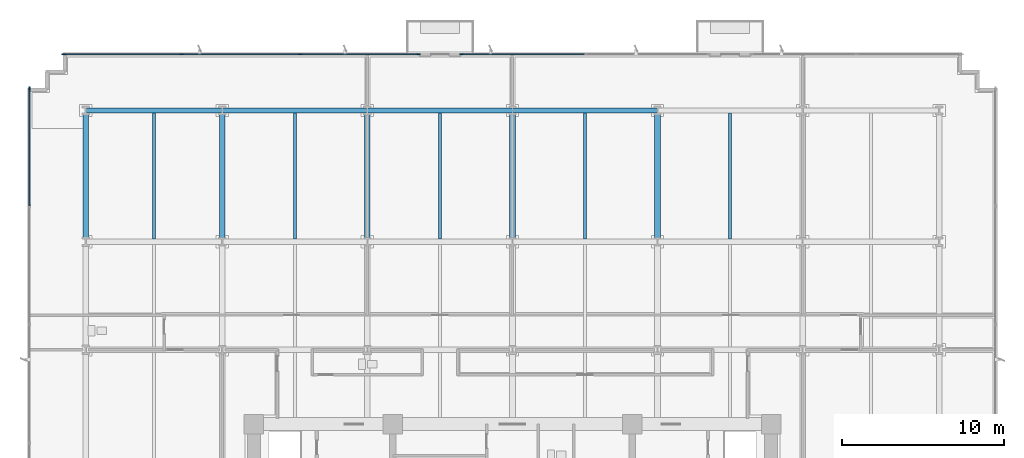
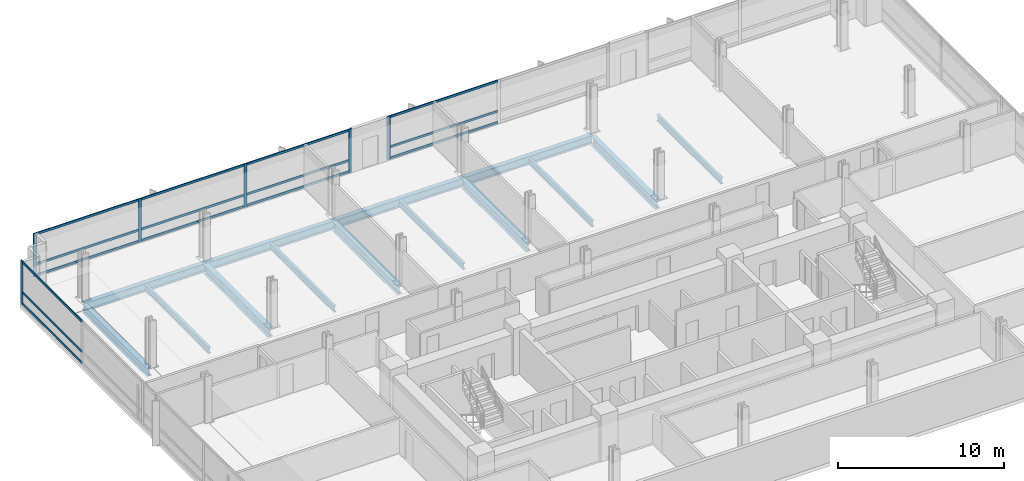
# One storey, part 5 of 14: 21 members, 14 beams, 3 elements without a shape of their own.
"""IFC4 building model written with IfcOpenShell, lengths in metres."""

from ifc_helpers import new_model, si_unit, direction, frame, origin, origin_2d, place, context, subcontext, project, spatial, rectangle, i_section, extrude, material, material_profile, profile_set, type_object, element, aggregate, save


model = new_model("IFC4")

# Units and contexts
model_context = context("Model", 3, precision=1e-05, world=origin(), true_north=direction((0.0, 1.0)))
body_context = subcontext(model_context, "Body", "Model", "MODEL_VIEW")
ifc_project = project(units=[si_unit("LENGTHUNIT", "METRE"), si_unit("AREAUNIT", "SQUARE_METRE"), si_unit("VOLUMEUNIT", "CUBIC_METRE"), si_unit("PLANEANGLEUNIT", "RADIAN"), si_unit("MASSUNIT", "GRAM", prefix="KILO")], contexts=[model_context])

# Site, building, storey
site_placement = place(None, origin())
site = spatial("IfcSite", under=ifc_project, at=site_placement, CompositionType="ELEMENT")
building_placement = place(site_placement, origin())
building = spatial("IfcBuilding", under=site, at=building_placement, Name="Solmavex Isthmus Hotel", CompositionType="ELEMENT")
storey_placement = place(building_placement, frame((0.0, 0.0, 50.550048828125)))
storey = spatial("IfcBuildingStorey", under=building, at=storey_placement, Name="L13", CompositionType="ELEMENT", Elevation=50.550048828125)

# Beams
ifc_material_1 = material(Name="Steel ASTM A992 Grade 50", Category="steel")
ifc_material_profile_1 = material_profile(ifc_material_1, i_section(OverallWidth=0.354736328125, OverallDepth=0.695556640625, WebThickness=0.015380859375, FlangeThickness=0.02490234375, FilletRadius=0.017822265625, at=origin_2d()), Name="W27X146")
ifc_profile_set_1 = profile_set([ifc_material_profile_1], Name="Steel ASTM A992 Grade 50")
beam_type_1 = type_object("IfcBeamType", Name="BM-BG-W27X146", PredefinedType="BEAM", material=ifc_profile_set_1)
for number, where, z_axis, x_axis, name in (
    (1, (-17.951904296875, 8.96533203125, -0.60791015625), (0.0, 1.0, 0.0), (-1.0, 0.0, 0.0), "Floor Beam L13-VG30"),
    (2, (-8.97607421875, 8.96533203125, -0.60791015625), (0.0, 1.0, 0.0), (-1.0, 0.0, 0.0), "Floor Beam L13-VG34"),
    (3, (0.0, 8.96533203125, -0.60791015625), (0.0, 1.0, 0.0), (-1.0, 0.0, 0.0), "Floor Beam L13-VG38"),
    (4, (8.97607421875, 8.96533203125, -0.60791015625), (0.0, 1.0, 0.0), (-1.0, 0.0, 0.0), "Floor Beam L13-VG42"),
):
    element("IfcBeam", number, at=place(storey_placement, frame(where, z_axis=z_axis, x_axis=x_axis)), inside=storey, type_object=beam_type_1, Name=name, PredefinedType="BEAM", context=body_context, shape_type="SweptSolid", body=[
        extrude(i_section(OverallWidth=0.354736328125, OverallDepth=0.695556640625, WebThickness=0.015380859375, FlangeThickness=0.02490234375, FilletRadius=0.017822265625, at=origin_2d()), origin(), (0.0, 0.0, 1.0), 7.771484375),
    ])
ifc_material_profile_2 = material_profile(ifc_material_1, i_section(OverallWidth=0.1904296875, OverallDepth=0.456787109375, WebThickness=0.009033203125, FlangeThickness=0.014404296875, FilletRadius=0.0126953125, at=origin_2d()), Name="W18X50")
ifc_profile_set_2 = profile_set([ifc_material_profile_2], Name="Steel ASTM A992 Grade 50")
beam_type_2 = type_object("IfcBeamType", Name="BM-BJ-W18X50", PredefinedType="JOIST", material=ifc_profile_set_2)
for number, where, z_axis, x_axis, name in (
    (5, (-22.176025390625, 8.96533203125, -0.488525390625), (0.0, 1.0, 0.0), (-1.0, 0.0, 0.0), "Secondary Floor Joist L13-J03"),
    (6, (-13.464111328125, 8.96533203125, -0.488525390625), (0.0, 1.0, 0.0), (-1.0, 0.0, 0.0), "Secondary Floor Joist L13-J07"),
    (7, (-4.488037109375, 8.96533203125, -0.488525390625), (0.0, 1.0, 0.0), (-1.0, 0.0, 0.0), "Secondary Floor Joist L13-J11"),
    (8, (4.488037109375, 8.96533203125, -0.488525390625), (0.0, 1.0, 0.0), (-1.0, 0.0, 0.0), "Secondary Floor Joist L13-J15"),
    (9, (13.464111328125, 8.96533203125, -0.488525390625), (0.0, 1.0, 0.0), (-1.0, 0.0, 0.0), "Secondary Floor Joist L13-J19"),
):
    element("IfcBeam", number, at=place(storey_placement, frame(where, z_axis=z_axis, x_axis=x_axis)), inside=storey, type_object=beam_type_2, Name=name, PredefinedType="JOIST", context=body_context, shape_type="SweptSolid", body=[
        extrude(i_section(OverallWidth=0.1904296875, OverallDepth=0.456787109375, WebThickness=0.009033203125, FlangeThickness=0.014404296875, FilletRadius=0.0126953125, at=origin_2d()), origin(), (0.0, 0.0, 1.0), 7.771484375),
    ])
ifc_material_profile_3 = material_profile(ifc_material_1, i_section(OverallWidth=0.326416015625, OverallDepth=0.621826171875, WebThickness=0.015380859375, FlangeThickness=0.0244140625, FilletRadius=0.01513671875, at=origin_2d()), Name="W24X131")
ifc_profile_set_3 = profile_set([ifc_material_profile_3], Name="Steel ASTM A992 Grade 50")
beam_type_3 = type_object("IfcBeamType", Name="BM-SP-W24X131", PredefinedType="SPANDREL", material=ifc_profile_set_3)
beam_1_placement = place(storey_placement, frame((-26.39990234375, 16.89990234375, -0.571044921875), z_axis=(1.0, 0.0, 0.0), x_axis=(0.0, 1.0, 0.0)))
element("IfcBeam", 10, at=beam_1_placement, inside=storey, type_object=beam_type_3, Name="Floor Girder L13-UG19", PredefinedType="SPANDREL", context=body_context, shape_type="SweptSolid", body=[
    extrude(i_section(OverallWidth=0.326416015625, OverallDepth=0.621826171875, WebThickness=0.015380859375, FlangeThickness=0.0244140625, FilletRadius=0.01513671875, at=origin_2d()), origin(), (0.0, 0.0, 1.0), 8.447998046875),
])
beam_2_placement = place(storey_placement, frame((-17.951904296875, 16.89990234375, -0.571044921875), z_axis=(1.0, 0.0, 0.0), x_axis=(0.0, 1.0, 0.0)))
element("IfcBeam", 11, at=beam_2_placement, inside=storey, type_object=beam_type_3, Name="Floor Girder L13-UG20", PredefinedType="SPANDREL", context=body_context, shape_type="SweptSolid", body=[
    extrude(i_section(OverallWidth=0.326416015625, OverallDepth=0.621826171875, WebThickness=0.015380859375, FlangeThickness=0.0244140625, FilletRadius=0.01513671875, at=origin_2d()), origin(), (0.0, 0.0, 1.0), 8.975830078125),
])
for number, where, z_axis, x_axis, name in (
    (12, (-8.97607421875, 16.89990234375, -0.571044921875), (1.0, 0.0, 0.0), (0.0, 1.0, 0.0), "Floor Girder L13-UG21"),
    (13, (0.0, 16.89990234375, -0.571044921875), (1.0, 0.0, 0.0), (0.0, 1.0, 0.0), "Floor Girder L13-UG22"),
):
    element("IfcBeam", number, at=place(storey_placement, frame(where, z_axis=z_axis, x_axis=x_axis)), inside=storey, type_object=beam_type_3, Name=name, PredefinedType="SPANDREL", context=body_context, shape_type="SweptSolid", body=[
        extrude(i_section(OverallWidth=0.326416015625, OverallDepth=0.621826171875, WebThickness=0.015380859375, FlangeThickness=0.0244140625, FilletRadius=0.01513671875, at=origin_2d()), origin(), (0.0, 0.0, 1.0), 8.97607421875),
    ])
beam_3_placement = place(storey_placement, frame((-26.39990234375, 8.96533203125, -0.571044921875), z_axis=(0.0, 1.0, 0.0), x_axis=(-1.0, 0.0, 0.0)))
element("IfcBeam", 14, at=beam_3_placement, inside=storey, type_object=beam_type_3, Name="Floor Beam L13-VG27", PredefinedType="SPANDREL", context=body_context, shape_type="SweptSolid", body=[
    extrude(i_section(OverallWidth=0.326416015625, OverallDepth=0.621826171875, WebThickness=0.015380859375, FlangeThickness=0.0244140625, FilletRadius=0.01513671875, at=origin_2d()), origin(), (0.0, 0.0, 1.0), 7.771484375),
])

# Curtain wall, members
ifc_material_2 = material(Name="Aluminium alloy 6063-T6", Category="aluminium")
curtain_wall_type = type_object("IfcCurtainWallType", Name="CW-SYS-02", PredefinedType="NOTDEFINED", material=ifc_material_2)
curtain_wall_1_placement = place(storey_placement, origin())
curtain_wall_1 = element("IfcCurtainWall", 15, at=curtain_wall_1_placement, inside=storey, type_object=curtain_wall_type, Name="Stick Curtain Wall CWL-L13-N1", PredefinedType="NOTDEFINED")
ifc_material_profile_4 = material_profile(ifc_material_2, rectangle(XDim=0.074951171875, YDim=0.219970703125, at=origin_2d()), Name="CWM-75X220")
ifc_profile_set_4 = profile_set([ifc_material_profile_4], Name="Aluminium alloy 6063-T6")
member_type_1 = type_object("IfcMemberType", Name="CW-SYS-02-MUL", PredefinedType="MULLION", material=ifc_profile_set_4)
member_1_placement = place(storey_placement, frame((-27.762451171875, 20.3798828125, 0.0), z_axis=(0.0, 0.0, 1.0), x_axis=(0.0, 1.0, 0.0)))
member_1 = element("IfcMember", 16, at=member_1_placement, type_object=member_type_1, Name="CW-02 mullion 1", PredefinedType="MULLION", context=body_context, shape_type="SweptSolid", body=[
    extrude(rectangle(XDim=0.074951171875, YDim=0.219970703125, at=origin_2d()), origin(), (0.0, 0.0, 1.0), 3.18994140625),
])
member_2_placement = place(storey_placement, frame((-20.462646484375, 20.3798828125, 0.0), z_axis=(0.0, 0.0, 1.0), x_axis=(0.0, 1.0, 0.0)))
member_2 = element("IfcMember", 17, at=member_2_placement, type_object=member_type_1, Name="CW-02 mullion 2", PredefinedType="MULLION", context=body_context, shape_type="SweptSolid", body=[
    extrude(rectangle(XDim=0.074951171875, YDim=0.219970703125, at=origin_2d()), origin(), (0.0, 0.0, 1.0), 3.18994140625),
])
member_3_placement = place(storey_placement, frame((-13.125244140625, 20.3798828125, 0.0), z_axis=(0.0, 0.0, 1.0), x_axis=(0.0, 1.0, 0.0)))
member_3 = element("IfcMember", 18, at=member_3_placement, type_object=member_type_1, Name="CW-02 mullion 3", PredefinedType="MULLION", context=body_context, shape_type="SweptSolid", body=[
    extrude(rectangle(XDim=0.074951171875, YDim=0.219970703125, at=origin_2d()), origin(), (0.0, 0.0, 1.0), 3.18994140625),
])
member_4_placement = place(storey_placement, frame((-5.825439453125, 20.3798828125, 0.0), z_axis=(0.0, 0.0, 1.0), x_axis=(0.0, 1.0, 0.0)))
member_4 = element("IfcMember", 19, at=member_4_placement, type_object=member_type_1, Name="CW-02 mullion 4", PredefinedType="MULLION", context=body_context, shape_type="SweptSolid", body=[
    extrude(rectangle(XDim=0.074951171875, YDim=0.219970703125, at=origin_2d()), origin(), (0.0, 0.0, 1.0), 3.18994140625),
])

# Curtain wall, member
curtain_wall_2_placement = place(storey_placement, origin())
curtain_wall_2 = element("IfcCurtainWall", 20, at=curtain_wall_2_placement, inside=storey, type_object=curtain_wall_type, Name="Stick Curtain Wall CWL-L13-N2", PredefinedType="NOTDEFINED")
member_5_placement = place(storey_placement, frame((-3.150390625, 20.3798828125, 0.0), z_axis=(0.0, 0.0, 1.0), x_axis=(0.0, 1.0, 0.0)))
member_5 = element("IfcMember", 21, at=member_5_placement, type_object=member_type_1, Name="CW-02 mullion 1", PredefinedType="MULLION", context=body_context, shape_type="SweptSolid", body=[
    extrude(rectangle(XDim=0.074951171875, YDim=0.219970703125, at=origin_2d()), origin(), (0.0, 0.0, 1.0), 3.18994140625),
])

curtain_wall_3_placement = place(storey_placement, origin())
curtain_wall_3 = element("IfcCurtainWall", 22, at=curtain_wall_3_placement, inside=storey, type_object=curtain_wall_type, Name="Stick Curtain Wall CWL-L13-W1", PredefinedType="NOTDEFINED")
member_6_placement = place(storey_placement, frame((-29.8798828125, 18.262451171875, 0.0), z_axis=(0.0, 0.0, 1.0), x_axis=(-1.0, 0.0, 0.0)))
member_6 = element("IfcMember", 23, at=member_6_placement, type_object=member_type_1, Name="CW-02 mullion 6", PredefinedType="MULLION", context=body_context, shape_type="SweptSolid", body=[
    extrude(rectangle(XDim=0.074951171875, YDim=0.219970703125, at=origin_2d()), origin(), (0.0, 0.0, 1.0), 3.18994140625),
])

# Member
ifc_material_profile_5 = material_profile(ifc_material_2, rectangle(XDim=0.074951171875, YDim=0.159912109375, at=origin_2d()), Name="CWT-75X160")
ifc_profile_set_5 = profile_set([ifc_material_profile_5], Name="Aluminium alloy 6063-T6")
member_type_2 = type_object("IfcMemberType", Name="CW-SYS-02-TRN", PredefinedType="USERDEFINED", material=ifc_profile_set_5)
member_7_placement = place(storey_placement, frame((-27.72509765625, 20.3798828125, 0.079833984375), z_axis=(1.0, 0.0, 0.0), x_axis=(0.0, 1.0, 0.0)))
member_7 = element("IfcMember", 24, at=member_7_placement, type_object=member_type_2, Name="CW-02 transom 1.1", ObjectType="TRANSOM", PredefinedType="USERDEFINED", context=body_context, shape_type="SweptSolid", body=[
    extrude(rectangle(XDim=0.074951171875, YDim=0.159912109375, at=origin_2d()), origin(), (0.0, 0.0, 1.0), 7.224853515625),
])

member_8_placement = place(storey_placement, frame((-27.72509765625, 20.3798828125, 0.89990234375), z_axis=(1.0, 0.0, 0.0), x_axis=(0.0, 1.0, 0.0)))
member_8 = element("IfcMember", 25, at=member_8_placement, type_object=member_type_2, Name="CW-02 transom 1.2", ObjectType="TRANSOM", PredefinedType="USERDEFINED", context=body_context, shape_type="SweptSolid", body=[
    extrude(rectangle(XDim=0.074951171875, YDim=0.159912109375, at=origin_2d()), origin(), (0.0, 0.0, 1.0), 7.224853515625),
])

member_9_placement = place(storey_placement, frame((-27.72509765625, 20.3798828125, 3.10986328125), z_axis=(1.0, 0.0, 0.0), x_axis=(0.0, 1.0, 0.0)))
member_9 = element("IfcMember", 26, at=member_9_placement, type_object=member_type_2, Name="CW-02 transom 1.3", ObjectType="TRANSOM", PredefinedType="USERDEFINED", context=body_context, shape_type="SweptSolid", body=[
    extrude(rectangle(XDim=0.074951171875, YDim=0.159912109375, at=origin_2d()), origin(), (0.0, 0.0, 1.0), 7.224853515625),
])

member_10_placement = place(storey_placement, frame((-20.425048828125, 20.3798828125, 0.079833984375), z_axis=(1.0, 0.0, 0.0), x_axis=(0.0, 1.0, 0.0)))
member_10 = element("IfcMember", 27, at=member_10_placement, type_object=member_type_2, Name="CW-02 transom 2.1", ObjectType="TRANSOM", PredefinedType="USERDEFINED", context=body_context, shape_type="SweptSolid", body=[
    extrude(rectangle(XDim=0.074951171875, YDim=0.159912109375, at=origin_2d()), origin(), (0.0, 0.0, 1.0), 7.26220703125),
])

member_11_placement = place(storey_placement, frame((-20.425048828125, 20.3798828125, 0.89990234375), z_axis=(1.0, 0.0, 0.0), x_axis=(0.0, 1.0, 0.0)))
member_11 = element("IfcMember", 28, at=member_11_placement, type_object=member_type_2, Name="CW-02 transom 2.2", ObjectType="TRANSOM", PredefinedType="USERDEFINED", context=body_context, shape_type="SweptSolid", body=[
    extrude(rectangle(XDim=0.074951171875, YDim=0.159912109375, at=origin_2d()), origin(), (0.0, 0.0, 1.0), 7.26220703125),
])

member_12_placement = place(storey_placement, frame((-20.425048828125, 20.3798828125, 3.10986328125), z_axis=(1.0, 0.0, 0.0), x_axis=(0.0, 1.0, 0.0)))
member_12 = element("IfcMember", 29, at=member_12_placement, type_object=member_type_2, Name="CW-02 transom 2.3", ObjectType="TRANSOM", PredefinedType="USERDEFINED", context=body_context, shape_type="SweptSolid", body=[
    extrude(rectangle(XDim=0.074951171875, YDim=0.159912109375, at=origin_2d()), origin(), (0.0, 0.0, 1.0), 7.26220703125),
])

member_13_placement = place(storey_placement, frame((-13.087890625, 20.3798828125, 0.079833984375), z_axis=(1.0, 0.0, 0.0), x_axis=(0.0, 1.0, 0.0)))
member_13 = element("IfcMember", 30, at=member_13_placement, type_object=member_type_2, Name="CW-02 transom 3.1", ObjectType="TRANSOM", PredefinedType="USERDEFINED", context=body_context, shape_type="SweptSolid", body=[
    extrude(rectangle(XDim=0.074951171875, YDim=0.159912109375, at=origin_2d()), origin(), (0.0, 0.0, 1.0), 7.224853515625),
])

member_14_placement = place(storey_placement, frame((-13.087890625, 20.3798828125, 0.89990234375), z_axis=(1.0, 0.0, 0.0), x_axis=(0.0, 1.0, 0.0)))
member_14 = element("IfcMember", 31, at=member_14_placement, type_object=member_type_2, Name="CW-02 transom 3.2", ObjectType="TRANSOM", PredefinedType="USERDEFINED", context=body_context, shape_type="SweptSolid", body=[
    extrude(rectangle(XDim=0.074951171875, YDim=0.159912109375, at=origin_2d()), origin(), (0.0, 0.0, 1.0), 7.224853515625),
])

member_15_placement = place(storey_placement, frame((-13.087890625, 20.3798828125, 3.10986328125), z_axis=(1.0, 0.0, 0.0), x_axis=(0.0, 1.0, 0.0)))
member_15 = element("IfcMember", 32, at=member_15_placement, type_object=member_type_2, Name="CW-02 transom 3.3", ObjectType="TRANSOM", PredefinedType="USERDEFINED", context=body_context, shape_type="SweptSolid", body=[
    extrude(rectangle(XDim=0.074951171875, YDim=0.159912109375, at=origin_2d()), origin(), (0.0, 0.0, 1.0), 7.224853515625),
])

aggregate(curtain_wall_1, [member_1, member_2, member_3, member_4, member_7, member_8, member_9, member_10, member_11, member_12, member_13, member_14, member_15])

member_16_placement = place(storey_placement, frame((-3.113037109375, 20.3798828125, 0.079833984375), z_axis=(1.0, 0.0, 0.0), x_axis=(0.0, 1.0, 0.0)))
member_16 = element("IfcMember", 33, at=member_16_placement, type_object=member_type_2, Name="CW-02 transom 1.1", ObjectType="TRANSOM", PredefinedType="USERDEFINED", context=body_context, shape_type="SweptSolid", body=[
    extrude(rectangle(XDim=0.074951171875, YDim=0.159912109375, at=origin_2d()), origin(), (0.0, 0.0, 1.0), 7.5634765625),
])

member_17_placement = place(storey_placement, frame((-3.113037109375, 20.3798828125, 0.89990234375), z_axis=(1.0, 0.0, 0.0), x_axis=(0.0, 1.0, 0.0)))
member_17 = element("IfcMember", 34, at=member_17_placement, type_object=member_type_2, Name="CW-02 transom 1.2", ObjectType="TRANSOM", PredefinedType="USERDEFINED", context=body_context, shape_type="SweptSolid", body=[
    extrude(rectangle(XDim=0.074951171875, YDim=0.159912109375, at=origin_2d()), origin(), (0.0, 0.0, 1.0), 7.5634765625),
])

member_18_placement = place(storey_placement, frame((-3.113037109375, 20.3798828125, 3.10986328125), z_axis=(1.0, 0.0, 0.0), x_axis=(0.0, 1.0, 0.0)))
member_18 = element("IfcMember", 35, at=member_18_placement, type_object=member_type_2, Name="CW-02 transom 1.3", ObjectType="TRANSOM", PredefinedType="USERDEFINED", context=body_context, shape_type="SweptSolid", body=[
    extrude(rectangle(XDim=0.074951171875, YDim=0.159912109375, at=origin_2d()), origin(), (0.0, 0.0, 1.0), 7.5634765625),
])

aggregate(curtain_wall_2, [member_5, member_16, member_17, member_18])

member_19_placement = place(storey_placement, frame((-29.8798828125, 11.017578125, 0.079833984375), z_axis=(0.0, 1.0, 0.0), x_axis=(-1.0, 0.0, 0.0)))
member_19 = element("IfcMember", 36, at=member_19_placement, type_object=member_type_2, Name="CW-02 transom 5.1", ObjectType="TRANSOM", PredefinedType="USERDEFINED", context=body_context, shape_type="SweptSolid", body=[
    extrude(rectangle(XDim=0.074951171875, YDim=0.159912109375, at=origin_2d()), origin(), (0.0, 0.0, 1.0), 7.20751953125),
])

member_20_placement = place(storey_placement, frame((-29.8798828125, 11.017578125, 0.89990234375), z_axis=(0.0, 1.0, 0.0), x_axis=(-1.0, 0.0, 0.0)))
member_20 = element("IfcMember", 37, at=member_20_placement, type_object=member_type_2, Name="CW-02 transom 5.2", ObjectType="TRANSOM", PredefinedType="USERDEFINED", context=body_context, shape_type="SweptSolid", body=[
    extrude(rectangle(XDim=0.074951171875, YDim=0.159912109375, at=origin_2d()), origin(), (0.0, 0.0, 1.0), 7.20751953125),
])

member_21_placement = place(storey_placement, frame((-29.8798828125, 11.017578125, 3.10986328125), z_axis=(0.0, 1.0, 0.0), x_axis=(-1.0, 0.0, 0.0)))
member_21 = element("IfcMember", 38, at=member_21_placement, type_object=member_type_2, Name="CW-02 transom 5.3", ObjectType="TRANSOM", PredefinedType="USERDEFINED", context=body_context, shape_type="SweptSolid", body=[
    extrude(rectangle(XDim=0.074951171875, YDim=0.159912109375, at=origin_2d()), origin(), (0.0, 0.0, 1.0), 7.20751953125),
])

aggregate(curtain_wall_3, [member_6, member_19, member_20, member_21])

save(model, "model.ifc")
